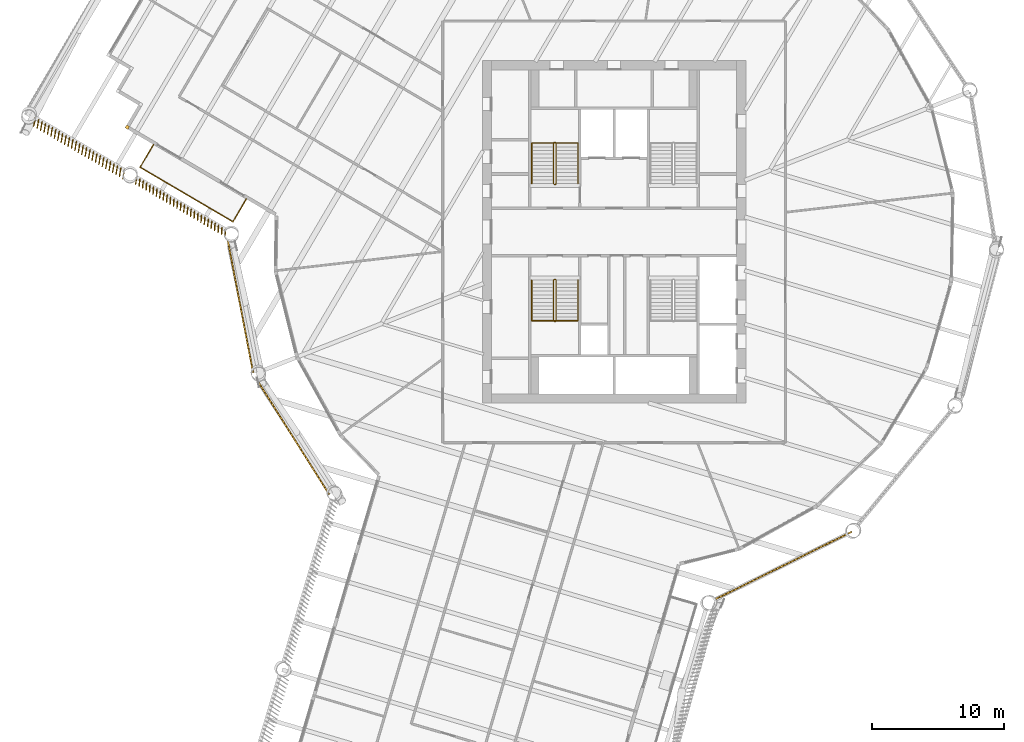
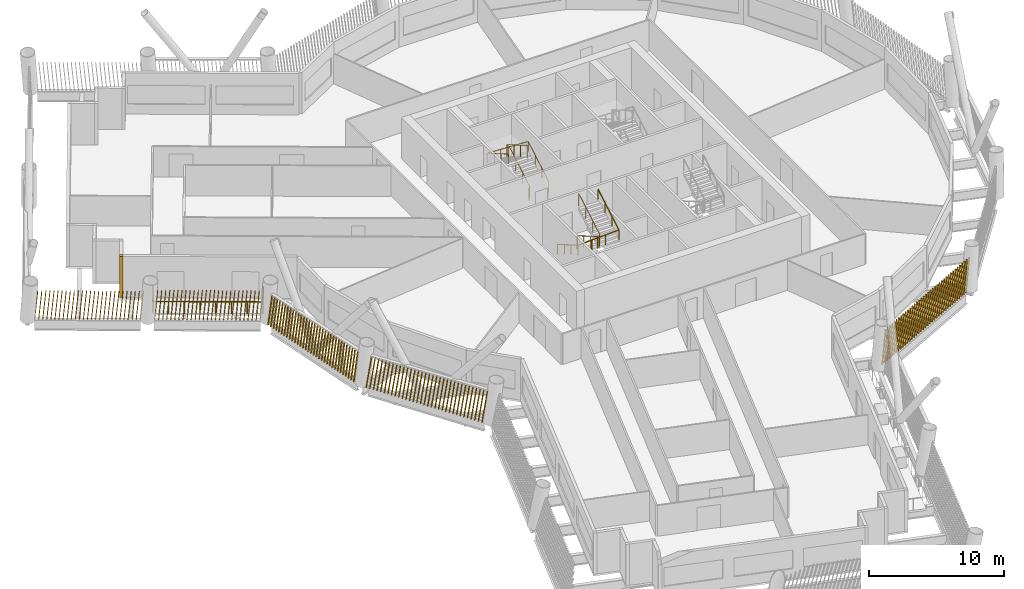
# One storey, part 20 of 23: 6 shading devices, 5 railings.
"""IFC4 building model written with IfcOpenShell, lengths in metres."""

from ifc_helpers import new_model, si_unit, direction, frame, frame_2d, origin, origin_2d, place, context, subcontext, project, spatial, rectangle, circle, composite_profile, extrude, material, type_object, element, save


model = new_model("IFC4")

# Units and contexts
model_context = context("Model", 3, precision=1e-05, world=origin(), true_north=direction((0.0, 1.0)))
body_context = subcontext(model_context, "Body", "Model", "MODEL_VIEW")
ifc_project = project(units=[si_unit("LENGTHUNIT", "METRE"), si_unit("AREAUNIT", "SQUARE_METRE"), si_unit("VOLUMEUNIT", "CUBIC_METRE"), si_unit("PLANEANGLEUNIT", "RADIAN"), si_unit("MASSUNIT", "GRAM", prefix="KILO")], contexts=[model_context])

# Site, building, storey
site_placement = place(None, origin())
site = spatial("IfcSite", under=ifc_project, at=site_placement, CompositionType="ELEMENT")
building_placement = place(site_placement, origin())
building = spatial("IfcBuilding", under=site, at=building_placement, Name="Tarsis Ring Headquarters", CompositionType="ELEMENT")
storey_placement = place(building_placement, frame((0.0, 0.0, 155.39990234375)))
storey = spatial("IfcBuildingStorey", under=building, at=storey_placement, Name="L35", CompositionType="ELEMENT", Elevation=155.39990234375)

# Railings
ifc_material_1 = material(Name="Stainless steel guard", Category="steel")
railing_type_1 = type_object("IfcRailingType", Name="Balcony balustrade with mesh infill 1100", PredefinedType="BALUSTRADE", material=ifc_material_1)
railing_1_placement = place(storey_placement, frame((-34.959716796875, 6.638671875, 0.0)))
element("IfcRailing", 1, at=railing_1_placement, inside=storey, type_object=railing_type_1, Name="Balcony balustrade L35-01", PredefinedType="BALUSTRADE", context=body_context, shape_type="SweptSolid", body=[
    extrude(circle(Radius=0.030029296875, at=origin_2d()), frame((0.0, 0.0, 1.070068359375), z_axis=(-0.506918771749, -0.861993827616, 0.0), x_axis=(0.861993827616, -0.506918771749, 0.0)), (0.0, 0.0, 1.0), 2.000244140625),
    extrude(circle(Radius=0.030029296875, at=origin_2d()), frame((-1.013916015625, -1.72412109375, 1.070068359375), z_axis=(0.861991041868, -0.506923508766, 0.0), x_axis=(0.506923508766, 0.861991041868, 0.0)), (0.0, 0.0, 1.0), 8.172119140625),
    extrude(circle(Radius=0.030029296875, at=origin_2d()), frame((6.0302734375, -5.86669921875, 1.070068359375), z_axis=(0.50697211221, 0.861962457095, 0.0), x_axis=(-0.861962457095, 0.50697211221, 0.0)), (0.0, 0.0, 1.0), 2.0),
    extrude(circle(Radius=0.02490234375, at=origin_2d()), origin(), (0.0, 0.0, 1.0), 1.0400390625),
    extrude(circle(Radius=0.02490234375, at=origin_2d()), frame((-0.5068359375, -0.862060546875, 0.0)), (0.0, 0.0, 1.0), 1.0400390625),
    extrude(circle(Radius=0.02490234375, at=origin_2d()), frame((-1.013916015625, -1.72412109375, 0.0)), (0.0, 0.0, 1.0), 1.0400390625),
    extrude(circle(Radius=0.02490234375, at=origin_2d()), frame((-0.007568359375, -2.31591796875, 0.0)), (0.0, 0.0, 1.0), 1.0400390625),
    extrude(circle(Radius=0.02490234375, at=origin_2d()), frame((0.998779296875, -2.90771484375, 0.0)), (0.0, 0.0, 1.0), 1.0400390625),
    extrude(circle(Radius=0.02490234375, at=origin_2d()), frame((2.005126953125, -3.49951171875, 0.0)), (0.0, 0.0, 1.0), 1.0400390625),
    extrude(circle(Radius=0.02490234375, at=origin_2d()), frame((3.01123046875, -4.09130859375, 0.0)), (0.0, 0.0, 1.0), 1.0400390625),
    extrude(circle(Radius=0.02490234375, at=origin_2d()), frame((4.017578125, -4.68310546875, 0.0)), (0.0, 0.0, 1.0), 1.0400390625),
    extrude(circle(Radius=0.02490234375, at=origin_2d()), frame((5.02392578125, -5.27490234375, 0.0)), (0.0, 0.0, 1.0), 1.0400390625),
    extrude(circle(Radius=0.02490234375, at=origin_2d()), frame((6.0302734375, -5.86669921875, 0.0)), (0.0, 0.0, 1.0), 1.0400390625),
    extrude(circle(Radius=0.02490234375, at=origin_2d()), frame((6.537109375, -5.0048828125, 0.0)), (0.0, 0.0, 1.0), 1.0400390625),
    extrude(circle(Radius=0.02490234375, at=origin_2d()), frame((7.044189453125, -4.142822265625, 0.0)), (0.0, 0.0, 1.0), 1.0400390625),
])
ifc_material_2 = material(Name="Steel S355", Category="steel")
railing_type_2 = type_object("IfcRailingType", Name="Core stair guard 1100", PredefinedType="GUARDRAIL", material=ifc_material_2)
railing_2_placement = place(storey_placement, frame((-4.5400390625, 3.610107421875, 0.0)))
element("IfcRailing", 2, at=railing_2_placement, inside=storey, type_object=railing_type_2, Name="L35 ST1 stair guard 1", PredefinedType="GUARDRAIL", context=body_context, shape_type="SweptSolid", body=[
    extrude(circle(Radius=0.02392578125, at=origin_2d()), frame((0.0, 0.0, 1.076171875), z_axis=(1.0, 0.0, 0.0), x_axis=(0.0, 1.0, 0.0)), (0.0, 0.0, 1.0), 0.080078125),
    extrude(circle(Radius=0.02392578125, at=origin_2d()), frame((0.080078125, 0.0, 1.076171875), z_axis=(0.282336740067, 0.280959487676, 0.917250092119), x_axis=(-0.705375805398, 0.708833529934, 0.0)), (0.0, 0.0, 1.0), 0.17724609375),
    extrude(circle(Radius=0.02392578125, at=origin_2d()), frame((0.130126953125, 0.0498046875, 1.23876953125), z_axis=(0.0, 0.864890721111, 0.501960198159), x_axis=(-1.0, 0.0, 0.0)), (0.0, 0.0, 1.0), 3.561279296875),
    extrude(circle(Radius=0.02392578125, at=origin_2d()), frame((0.130126953125, 3.1298828125, 3.0263671875), z_axis=(-0.707106781187, 0.707106781187, 0.0), x_axis=(-0.707106781187, -0.707106781187, 0.0)), (0.0, 0.0, 1.0), 0.07080078125),
    extrude(circle(Radius=0.02392578125, at=origin_2d()), frame((0.080078125, 3.179931640625, 3.0263671875), z_axis=(-1.0, 0.0, 0.0), x_axis=(0.0, -1.0, 0.0)), (0.0, 0.0, 1.0), 0.080078125),
    extrude(circle(Radius=0.02392578125, at=origin_2d()), frame((0.0, 3.179931640625, 3.0263671875), z_axis=(-0.282583949758, -0.282583949758, 0.916674763849), x_axis=(0.707106781187, -0.707106781187, 0.0)), (0.0, 0.0, 1.0), 0.177001953125),
    extrude(circle(Radius=0.02392578125, at=origin_2d()), frame((-0.050048828125, 3.1298828125, 3.1884765625), z_axis=(0.0, -0.864890721111, 0.501960198159), x_axis=(1.0, 0.0, 0.0)), (0.0, 0.0, 1.0), 3.561279296875),
    extrude(circle(Radius=0.02099609375, at=origin_2d()), origin(), (0.0, 0.0, 1.0), 1.052001953125),
    extrude(circle(Radius=0.02099609375, at=origin_2d()), frame((0.080078125, 0.0, 0.0)), (0.0, 0.0, 1.0), 1.052001953125),
    extrude(circle(Radius=0.02099609375, at=origin_2d()), frame((0.130126953125, 0.0498046875, 0.16259765625)), (0.0, 0.0, 1.0), 1.052001953125),
    extrude(circle(Radius=0.02099609375, at=origin_2d()), frame((0.130126953125, 1.076416015625, 0.758544921875)), (0.0, 0.0, 1.0), 1.052001953125),
    extrude(circle(Radius=0.02099609375, at=origin_2d()), frame((0.130126953125, 2.103271484375, 1.354248046875)), (0.0, 0.0, 1.0), 1.052001953125),
    extrude(circle(Radius=0.02099609375, at=origin_2d()), frame((0.130126953125, 3.1298828125, 1.9501953125)), (0.0, 0.0, 1.0), 1.052001953125),
    extrude(circle(Radius=0.02099609375, at=origin_2d()), frame((0.080078125, 3.179931640625, 1.9501953125)), (0.0, 0.0, 1.0), 1.052001953125),
    extrude(circle(Radius=0.02099609375, at=origin_2d()), frame((0.0, 3.179931640625, 1.9501953125)), (0.0, 0.0, 1.0), 1.052001953125),
    extrude(circle(Radius=0.02099609375, at=origin_2d()), frame((-0.050048828125, 3.1298828125, 2.112548828125)), (0.0, 0.0, 1.0), 1.052001953125),
    extrude(circle(Radius=0.02099609375, at=origin_2d()), frame((-0.050048828125, 2.103271484375, 2.70849609375)), (0.0, 0.0, 1.0), 1.052001953125),
    extrude(circle(Radius=0.02099609375, at=origin_2d()), frame((-0.050048828125, 1.076416015625, 3.30419921875)), (0.0, 0.0, 1.0), 1.052001953125),
    extrude(circle(Radius=0.02099609375, at=origin_2d()), frame((-0.050048828125, 0.0498046875, 3.900146484375)), (0.0, 0.0, 1.0), 1.052001953125),
])
railing_3_placement = place(storey_placement, frame((-4.4599609375, -3.610107421875, 0.0)))
element("IfcRailing", 3, at=railing_3_placement, inside=storey, type_object=railing_type_2, Name="L35 ST3 stair guard 1", PredefinedType="GUARDRAIL", context=body_context, shape_type="SweptSolid", body=[
    extrude(circle(Radius=0.02392578125, at=origin_2d()), frame((0.0, 0.0, 1.076171875), z_axis=(-1.0, 0.0, 0.0), x_axis=(0.0, -1.0, 0.0)), (0.0, 0.0, 1.0), 0.080078125),
    extrude(circle(Radius=0.02392578125, at=origin_2d()), frame((-0.080078125, 0.0, 1.076171875), z_axis=(-0.282336740067, -0.280959487676, 0.917250092119), x_axis=(0.705375805398, -0.708833529934, 0.0)), (0.0, 0.0, 1.0), 0.17724609375),
    extrude(circle(Radius=0.02392578125, at=origin_2d()), frame((-0.130126953125, -0.0498046875, 1.23876953125), z_axis=(0.0, -0.864890721111, 0.501960198159), x_axis=(1.0, 0.0, 0.0)), (0.0, 0.0, 1.0), 3.561279296875),
    extrude(circle(Radius=0.02392578125, at=origin_2d()), frame((-0.130126953125, -3.1298828125, 3.0263671875), z_axis=(0.707106781187, -0.707106781187, 0.0), x_axis=(0.707106781187, 0.707106781187, 0.0)), (0.0, 0.0, 1.0), 0.07080078125),
    extrude(circle(Radius=0.02392578125, at=origin_2d()), frame((-0.080078125, -3.179931640625, 3.0263671875), z_axis=(1.0, 0.0, 0.0), x_axis=(0.0, 1.0, 0.0)), (0.0, 0.0, 1.0), 0.080078125),
    extrude(circle(Radius=0.02392578125, at=origin_2d()), frame((0.0, -3.179931640625, 3.0263671875), z_axis=(0.282583949758, 0.282583949758, 0.916674763849), x_axis=(-0.707106781187, 0.707106781187, 0.0)), (0.0, 0.0, 1.0), 0.177001953125),
    extrude(circle(Radius=0.02392578125, at=origin_2d()), frame((0.050048828125, -3.1298828125, 3.1884765625), z_axis=(0.0, 0.864890721111, 0.501960198159), x_axis=(-1.0, 0.0, 0.0)), (0.0, 0.0, 1.0), 3.561279296875),
    extrude(circle(Radius=0.02099609375, at=origin_2d()), origin(), (0.0, 0.0, 1.0), 1.052001953125),
    extrude(circle(Radius=0.02099609375, at=origin_2d()), frame((-0.080078125, 0.0, 0.0)), (0.0, 0.0, 1.0), 1.052001953125),
    extrude(circle(Radius=0.02099609375, at=origin_2d()), frame((-0.130126953125, -0.0498046875, 0.16259765625)), (0.0, 0.0, 1.0), 1.052001953125),
    extrude(circle(Radius=0.02099609375, at=origin_2d()), frame((-0.130126953125, -1.076416015625, 0.758544921875)), (0.0, 0.0, 1.0), 1.052001953125),
    extrude(circle(Radius=0.02099609375, at=origin_2d()), frame((-0.130126953125, -2.103271484375, 1.354248046875)), (0.0, 0.0, 1.0), 1.052001953125),
    extrude(circle(Radius=0.02099609375, at=origin_2d()), frame((-0.130126953125, -3.1298828125, 1.9501953125)), (0.0, 0.0, 1.0), 1.052001953125),
    extrude(circle(Radius=0.02099609375, at=origin_2d()), frame((-0.080078125, -3.179931640625, 1.9501953125)), (0.0, 0.0, 1.0), 1.052001953125),
    extrude(circle(Radius=0.02099609375, at=origin_2d()), frame((0.0, -3.179931640625, 1.9501953125)), (0.0, 0.0, 1.0), 1.052001953125),
    extrude(circle(Radius=0.02099609375, at=origin_2d()), frame((0.050048828125, -3.1298828125, 2.112548828125)), (0.0, 0.0, 1.0), 1.052001953125),
    extrude(circle(Radius=0.02099609375, at=origin_2d()), frame((0.050048828125, -2.103271484375, 2.70849609375)), (0.0, 0.0, 1.0), 1.052001953125),
    extrude(circle(Radius=0.02099609375, at=origin_2d()), frame((0.050048828125, -1.076416015625, 3.30419921875)), (0.0, 0.0, 1.0), 1.052001953125),
    extrude(circle(Radius=0.02099609375, at=origin_2d()), frame((0.050048828125, -0.0498046875, 3.900146484375)), (0.0, 0.0, 1.0), 1.052001953125),
])
railing_type_3 = type_object("IfcRailingType", Name="Core stair handrail 900", PredefinedType="HANDRAIL", material=ifc_material_2)
railing_4_placement = place(storey_placement, frame((-2.75, 3.659912109375, 0.16259765625)))
element("IfcRailing", 4, at=railing_4_placement, inside=storey, type_object=railing_type_3, Name="L35 ST1 stair handrail 1", PredefinedType="HANDRAIL", context=body_context, shape_type="SweptSolid", body=[
    extrude(circle(Radius=0.02392578125, at=origin_2d()), frame((0.0, 0.0, 0.8759765625), z_axis=(0.0, 0.864890721111, 0.501960198159), x_axis=(-1.0, 0.0, 0.0)), (0.0, 0.0, 1.0), 3.561279296875),
    extrude(circle(Radius=0.02392578125, at=origin_2d()), frame((0.0, 3.080078125, 2.66357421875), z_axis=(-0.998925869279, 0.0, 0.04633689335), x_axis=(0.0, -1.0, 0.0)), (0.0, 0.0, 1.0), 3.503662109375),
    extrude(circle(Radius=0.02392578125, at=origin_2d()), frame((-3.5, 3.080078125, 2.82568359375), z_axis=(0.0, -0.864890721111, 0.501960198159), x_axis=(1.0, 0.0, 0.0)), (0.0, 0.0, 1.0), 3.561279296875),
    extrude(circle(Radius=0.02099609375, at=origin_2d()), origin(), (0.0, 0.0, 1.0), 0.851806640625),
    extrude(circle(Radius=0.02099609375, at=origin_2d()), frame((0.0, 1.026611328125, 0.595947265625)), (0.0, 0.0, 1.0), 0.851806640625),
    extrude(circle(Radius=0.02099609375, at=origin_2d()), frame((0.0, 2.053466796875, 1.191650390625)), (0.0, 0.0, 1.0), 0.851806640625),
    extrude(circle(Radius=0.02099609375, at=origin_2d()), frame((0.0, 3.080078125, 1.78759765625)), (0.0, 0.0, 1.0), 0.851806640625),
    extrude(circle(Radius=0.02099609375, at=origin_2d()), frame((-1.166748046875, 3.080078125, 1.841796875)), (0.0, 0.0, 1.0), 0.851806640625),
    extrude(circle(Radius=0.02099609375, at=origin_2d()), frame((-2.333251953125, 3.080078125, 1.895751953125)), (0.0, 0.0, 1.0), 0.851806640625),
    extrude(circle(Radius=0.02099609375, at=origin_2d()), frame((-3.5, 3.080078125, 1.949951171875)), (0.0, 0.0, 1.0), 0.851806640625),
    extrude(circle(Radius=0.02099609375, at=origin_2d()), frame((-3.5, 2.053466796875, 2.5458984375)), (0.0, 0.0, 1.0), 0.851806640625),
    extrude(circle(Radius=0.02099609375, at=origin_2d()), frame((-3.5, 1.026611328125, 3.1416015625)), (0.0, 0.0, 1.0), 0.851806640625),
    extrude(circle(Radius=0.02099609375, at=origin_2d()), frame((-3.5, 0.0, 3.737548828125)), (0.0, 0.0, 1.0), 0.851806640625),
])
railing_5_placement = place(storey_placement, frame((-6.25, -3.659912109375, 0.16259765625)))
element("IfcRailing", 5, at=railing_5_placement, inside=storey, type_object=railing_type_3, Name="L35 ST3 stair handrail 1", PredefinedType="HANDRAIL", context=body_context, shape_type="SweptSolid", body=[
    extrude(circle(Radius=0.02392578125, at=origin_2d()), frame((0.0, 0.0, 0.8759765625), z_axis=(0.0, -0.864890721111, 0.501960198159), x_axis=(1.0, 0.0, 0.0)), (0.0, 0.0, 1.0), 3.561279296875),
    extrude(circle(Radius=0.02392578125, at=origin_2d()), frame((0.0, -3.080078125, 2.66357421875), z_axis=(0.998925869279, 0.0, 0.04633689335), x_axis=(0.0, 1.0, 0.0)), (0.0, 0.0, 1.0), 3.503662109375),
    extrude(circle(Radius=0.02392578125, at=origin_2d()), frame((3.5, -3.080078125, 2.82568359375), z_axis=(0.0, 0.864890721111, 0.501960198159), x_axis=(-1.0, 0.0, 0.0)), (0.0, 0.0, 1.0), 3.561279296875),
    extrude(circle(Radius=0.02099609375, at=origin_2d()), origin(), (0.0, 0.0, 1.0), 0.851806640625),
    extrude(circle(Radius=0.02099609375, at=origin_2d()), frame((0.0, -1.026611328125, 0.595947265625)), (0.0, 0.0, 1.0), 0.851806640625),
    extrude(circle(Radius=0.02099609375, at=origin_2d()), frame((0.0, -2.053466796875, 1.191650390625)), (0.0, 0.0, 1.0), 0.851806640625),
    extrude(circle(Radius=0.02099609375, at=origin_2d()), frame((0.0, -3.080078125, 1.78759765625)), (0.0, 0.0, 1.0), 0.851806640625),
    extrude(circle(Radius=0.02099609375, at=origin_2d()), frame((1.166748046875, -3.080078125, 1.841796875)), (0.0, 0.0, 1.0), 0.851806640625),
    extrude(circle(Radius=0.02099609375, at=origin_2d()), frame((2.333251953125, -3.080078125, 1.895751953125)), (0.0, 0.0, 1.0), 0.851806640625),
    extrude(circle(Radius=0.02099609375, at=origin_2d()), frame((3.5, -3.080078125, 1.949951171875)), (0.0, 0.0, 1.0), 0.851806640625),
    extrude(circle(Radius=0.02099609375, at=origin_2d()), frame((3.5, -2.053466796875, 2.5458984375)), (0.0, 0.0, 1.0), 0.851806640625),
    extrude(circle(Radius=0.02099609375, at=origin_2d()), frame((3.5, -1.026611328125, 3.1416015625)), (0.0, 0.0, 1.0), 0.851806640625),
    extrude(circle(Radius=0.02099609375, at=origin_2d()), frame((3.5, 0.0, 3.737548828125)), (0.0, 0.0, 1.0), 0.851806640625),
])

# Shading devices
ifc_material_3 = material(Name="Terracotta baguette", Category="masonry")
shading_device_type_1 = type_object("IfcShadingDeviceType", Name="Terracotta baguette screen", PredefinedType="USERDEFINED", material=ifc_material_3)
shading_device_1_placement = place(storey_placement, frame((-27.0703125, -11.2880859375, 0.0), z_axis=(0.0, 0.0, 1.0), x_axis=(0.533241723923, -0.845971267958, 0.0)))
element("IfcShadingDevice", 6, at=shading_device_1_placement, inside=storey, type_object=shading_device_type_1, Name="Baguette screen L35-00", ObjectType="Terracotta baguette screen", PredefinedType="USERDEFINED", context=body_context, shape_type="SweptSolid", body=[
    extrude(composite_profile([rectangle(XDim=0.06005859375, YDim=0.1201171875, at=frame_2d((0.030029296875, 0.0))), rectangle(XDim=0.06005859375, YDim=0.1201171875, at=frame_2d((0.33349609375, 0.0))), rectangle(XDim=0.06005859375, YDim=0.1201171875, at=frame_2d((0.636962890625, 0.0))), rectangle(XDim=0.06005859375, YDim=0.1201171875, at=frame_2d((0.9404296875, 0.0))), rectangle(XDim=0.06005859375, YDim=0.1201171875, at=frame_2d((1.243896484375, 0.0))), rectangle(XDim=0.06005859375, YDim=0.1201171875, at=frame_2d((1.54736328125, 0.0))), rectangle(XDim=0.06005859375, YDim=0.1201171875, at=frame_2d((1.85107421875, 0.0))), rectangle(XDim=0.06005859375, YDim=0.1201171875, at=frame_2d((2.154541015625, 0.0))), rectangle(XDim=0.06005859375, YDim=0.1201171875, at=frame_2d((2.4580078125, 0.0))), rectangle(XDim=0.06005859375, YDim=0.1201171875, at=frame_2d((2.761474609375, 0.0))), rectangle(XDim=0.06005859375, YDim=0.1201171875, at=frame_2d((3.06494140625, 0.0))), rectangle(XDim=0.06005859375, YDim=0.1201171875, at=frame_2d((3.368408203125, 0.0))), rectangle(XDim=0.06005859375, YDim=0.1201171875, at=frame_2d((3.671875, 0.0))), rectangle(XDim=0.06005859375, YDim=0.1201171875, at=frame_2d((3.975341796875, 0.0))), rectangle(XDim=0.06005859375, YDim=0.1201171875, at=frame_2d((4.27880859375, 0.0))), rectangle(XDim=0.06005859375, YDim=0.1201171875, at=frame_2d((4.582275390625, 0.0))), rectangle(XDim=0.06005859375, YDim=0.1201171875, at=frame_2d((4.8857421875, 0.0))), rectangle(XDim=0.06005859375, YDim=0.1201171875, at=frame_2d((5.189453125, 0.0))), rectangle(XDim=0.06005859375, YDim=0.1201171875, at=frame_2d((5.492919921875, 0.0))), rectangle(XDim=0.06005859375, YDim=0.1201171875, at=frame_2d((5.79638671875, 0.0))), rectangle(XDim=0.06005859375, YDim=0.1201171875, at=frame_2d((6.099853515625, 0.0))), rectangle(XDim=0.06005859375, YDim=0.1201171875, at=frame_2d((6.4033203125, 0.0))), rectangle(XDim=0.06005859375, YDim=0.1201171875, at=frame_2d((6.706787109375, 0.0))), rectangle(XDim=0.06005859375, YDim=0.1201171875, at=frame_2d((7.01025390625, 0.0))), rectangle(XDim=0.06005859375, YDim=0.1201171875, at=frame_2d((7.313720703125, 0.0))), rectangle(XDim=0.06005859375, YDim=0.1201171875, at=frame_2d((7.6171875, 0.0))), rectangle(XDim=0.06005859375, YDim=0.1201171875, at=frame_2d((7.920654296875, 0.0))), rectangle(XDim=0.06005859375, YDim=0.1201171875, at=frame_2d((8.224365234375, 0.0))), rectangle(XDim=0.06005859375, YDim=0.1201171875, at=frame_2d((8.52783203125, 0.0))), rectangle(XDim=0.06005859375, YDim=0.1201171875, at=frame_2d((8.831298828125, 0.0))), rectangle(XDim=0.06005859375, YDim=0.1201171875, at=frame_2d((9.134765625, 0.0))), rectangle(XDim=0.06005859375, YDim=0.1201171875, at=frame_2d((9.438232421875, 0.0))), rectangle(XDim=0.06005859375, YDim=0.1201171875, at=frame_2d((9.74169921875, 0.0)))]), origin(), (0.152181609716, 0.001196667964, 0.988351822809), 2.98486328125),
])
shading_device_2_placement = place(storey_placement, frame((7.55908203125, -27.94287109375, 0.0), z_axis=(0.0, 0.0, 1.0), x_axis=(0.896169289202, 0.44373304395, 0.0)))
element("IfcShadingDevice", 7, at=shading_device_2_placement, inside=storey, type_object=shading_device_type_1, Name="Baguette screen L35-07", ObjectType="Terracotta baguette screen", PredefinedType="USERDEFINED", context=body_context, shape_type="SweptSolid", body=[
    extrude(composite_profile([rectangle(XDim=0.06005859375, YDim=0.1201171875, at=frame_2d((0.030029296875, 0.0))), rectangle(XDim=0.06005859375, YDim=0.1201171875, at=frame_2d((0.33251953125, 0.0))), rectangle(XDim=0.06005859375, YDim=0.1201171875, at=frame_2d((0.634765625, 0.0))), rectangle(XDim=0.06005859375, YDim=0.1201171875, at=frame_2d((0.937255859375, 0.0))), rectangle(XDim=0.06005859375, YDim=0.1201171875, at=frame_2d((1.239501953125, 0.0))), rectangle(XDim=0.06005859375, YDim=0.1201171875, at=frame_2d((1.5419921875, 0.0))), rectangle(XDim=0.06005859375, YDim=0.1201171875, at=frame_2d((1.844482421875, 0.0))), rectangle(XDim=0.06005859375, YDim=0.1201171875, at=frame_2d((2.146728515625, 0.0))), rectangle(XDim=0.06005859375, YDim=0.1201171875, at=frame_2d((2.44921875, 0.0))), rectangle(XDim=0.06005859375, YDim=0.1201171875, at=frame_2d((2.751708984375, 0.0))), rectangle(XDim=0.06005859375, YDim=0.1201171875, at=frame_2d((3.053955078125, 0.0))), rectangle(XDim=0.06005859375, YDim=0.1201171875, at=frame_2d((3.3564453125, 0.0))), rectangle(XDim=0.06005859375, YDim=0.1201171875, at=frame_2d((3.65869140625, 0.0))), rectangle(XDim=0.06005859375, YDim=0.1201171875, at=frame_2d((3.961181640625, 0.0))), rectangle(XDim=0.06005859375, YDim=0.1201171875, at=frame_2d((4.263671875, 0.0))), rectangle(XDim=0.06005859375, YDim=0.1201171875, at=frame_2d((4.56591796875, 0.0))), rectangle(XDim=0.06005859375, YDim=0.1201171875, at=frame_2d((4.868408203125, 0.0))), rectangle(XDim=0.06005859375, YDim=0.1201171875, at=frame_2d((5.1708984375, 0.0))), rectangle(XDim=0.06005859375, YDim=0.1201171875, at=frame_2d((5.47314453125, 0.0))), rectangle(XDim=0.06005859375, YDim=0.1201171875, at=frame_2d((5.775634765625, 0.0))), rectangle(XDim=0.06005859375, YDim=0.1201171875, at=frame_2d((6.077880859375, 0.0))), rectangle(XDim=0.06005859375, YDim=0.1201171875, at=frame_2d((6.38037109375, 0.0))), rectangle(XDim=0.06005859375, YDim=0.1201171875, at=frame_2d((6.682861328125, 0.0))), rectangle(XDim=0.06005859375, YDim=0.1201171875, at=frame_2d((6.985107421875, 0.0))), rectangle(XDim=0.06005859375, YDim=0.1201171875, at=frame_2d((7.28759765625, 0.0))), rectangle(XDim=0.06005859375, YDim=0.1201171875, at=frame_2d((7.590087890625, 0.0))), rectangle(XDim=0.06005859375, YDim=0.1201171875, at=frame_2d((7.892333984375, 0.0))), rectangle(XDim=0.06005859375, YDim=0.1201171875, at=frame_2d((8.19482421875, 0.0))), rectangle(XDim=0.06005859375, YDim=0.1201171875, at=frame_2d((8.4970703125, 0.0))), rectangle(XDim=0.06005859375, YDim=0.1201171875, at=frame_2d((8.799560546875, 0.0))), rectangle(XDim=0.06005859375, YDim=0.1201171875, at=frame_2d((9.10205078125, 0.0))), rectangle(XDim=0.06005859375, YDim=0.1201171875, at=frame_2d((9.404296875, 0.0))), rectangle(XDim=0.06005859375, YDim=0.1201171875, at=frame_2d((9.706787109375, 0.0))), rectangle(XDim=0.06005859375, YDim=0.1201171875, at=frame_2d((10.00927734375, 0.0))), rectangle(XDim=0.06005859375, YDim=0.1201171875, at=frame_2d((10.3115234375, 0.0))), rectangle(XDim=0.06005859375, YDim=0.1201171875, at=frame_2d((10.614013671875, 0.0))), rectangle(XDim=0.06005859375, YDim=0.1201171875, at=frame_2d((10.916259765625, 0.0))), rectangle(XDim=0.06005859375, YDim=0.1201171875, at=frame_2d((11.21875, 0.0)))]), origin(), (0.149485047549, 0.001172078099, 0.988763291588), 2.983642578125),
])
shading_device_3_placement = place(storey_placement, frame((-43.964599609375, 8.68603515625, 0.0), z_axis=(0.0, 0.0, 1.0), x_axis=(0.861989062934, -0.506936076868, 0.0)))
element("IfcShadingDevice", 8, at=shading_device_3_placement, inside=storey, type_object=shading_device_type_1, Name="Baguette screen L35-19", ObjectType="Terracotta baguette screen", PredefinedType="USERDEFINED", context=body_context, shape_type="SweptSolid", body=[
    extrude(composite_profile([rectangle(XDim=0.06005859375, YDim=0.1201171875, at=frame_2d((0.030029296875, 0.0))), rectangle(XDim=0.06005859375, YDim=0.1201171875, at=frame_2d((0.33154296875, 0.0))), rectangle(XDim=0.06005859375, YDim=0.1201171875, at=frame_2d((0.63330078125, 0.0))), rectangle(XDim=0.06005859375, YDim=0.1201171875, at=frame_2d((0.934814453125, 0.0))), rectangle(XDim=0.06005859375, YDim=0.1201171875, at=frame_2d((1.236572265625, 0.0))), rectangle(XDim=0.06005859375, YDim=0.1201171875, at=frame_2d((1.5380859375, 0.0))), rectangle(XDim=0.06005859375, YDim=0.1201171875, at=frame_2d((1.83984375, 0.0))), rectangle(XDim=0.06005859375, YDim=0.1201171875, at=frame_2d((2.141357421875, 0.0))), rectangle(XDim=0.06005859375, YDim=0.1201171875, at=frame_2d((2.443115234375, 0.0))), rectangle(XDim=0.06005859375, YDim=0.1201171875, at=frame_2d((2.74462890625, 0.0))), rectangle(XDim=0.06005859375, YDim=0.1201171875, at=frame_2d((3.04638671875, 0.0))), rectangle(XDim=0.06005859375, YDim=0.1201171875, at=frame_2d((3.347900390625, 0.0))), rectangle(XDim=0.06005859375, YDim=0.1201171875, at=frame_2d((3.649658203125, 0.0))), rectangle(XDim=0.06005859375, YDim=0.1201171875, at=frame_2d((3.951171875, 0.0))), rectangle(XDim=0.06005859375, YDim=0.1201171875, at=frame_2d((4.252685546875, 0.0))), rectangle(XDim=0.06005859375, YDim=0.1201171875, at=frame_2d((4.554443359375, 0.0))), rectangle(XDim=0.06005859375, YDim=0.1201171875, at=frame_2d((4.85595703125, 0.0))), rectangle(XDim=0.06005859375, YDim=0.1201171875, at=frame_2d((5.15771484375, 0.0))), rectangle(XDim=0.06005859375, YDim=0.1201171875, at=frame_2d((5.459228515625, 0.0))), rectangle(XDim=0.06005859375, YDim=0.1201171875, at=frame_2d((5.760986328125, 0.0))), rectangle(XDim=0.06005859375, YDim=0.1201171875, at=frame_2d((6.0625, 0.0))), rectangle(XDim=0.06005859375, YDim=0.1201171875, at=frame_2d((6.3642578125, 0.0))), rectangle(XDim=0.06005859375, YDim=0.1201171875, at=frame_2d((6.665771484375, 0.0))), rectangle(XDim=0.06005859375, YDim=0.1201171875, at=frame_2d((6.967529296875, 0.0))), rectangle(XDim=0.06005859375, YDim=0.1201171875, at=frame_2d((7.26904296875, 0.0))), rectangle(XDim=0.06005859375, YDim=0.1201171875, at=frame_2d((7.57080078125, 0.0))), rectangle(XDim=0.06005859375, YDim=0.1201171875, at=frame_2d((7.872314453125, 0.0)))]), origin(), (0.078541681101, -0.198850991846, 0.976877416758), 3.02001953125),
])
shading_device_4_placement = place(storey_placement, frame((-36.291015625, 4.173095703125, 0.0), z_axis=(0.0, 0.0, 1.0), x_axis=(0.861989062934, -0.506936076868, 0.0)))
element("IfcShadingDevice", 9, at=shading_device_4_placement, inside=storey, type_object=shading_device_type_1, Name="Baguette screen L35-20", ObjectType="Terracotta baguette screen", PredefinedType="USERDEFINED", context=body_context, shape_type="SweptSolid", body=[
    extrude(composite_profile([rectangle(XDim=0.06005859375, YDim=0.1201171875, at=frame_2d((0.030029296875, 0.0))), rectangle(XDim=0.06005859375, YDim=0.1201171875, at=frame_2d((0.33154296875, 0.0))), rectangle(XDim=0.06005859375, YDim=0.1201171875, at=frame_2d((0.63330078125, 0.0))), rectangle(XDim=0.06005859375, YDim=0.1201171875, at=frame_2d((0.934814453125, 0.0))), rectangle(XDim=0.06005859375, YDim=0.1201171875, at=frame_2d((1.236572265625, 0.0))), rectangle(XDim=0.06005859375, YDim=0.1201171875, at=frame_2d((1.5380859375, 0.0))), rectangle(XDim=0.06005859375, YDim=0.1201171875, at=frame_2d((1.83984375, 0.0))), rectangle(XDim=0.06005859375, YDim=0.1201171875, at=frame_2d((2.141357421875, 0.0))), rectangle(XDim=0.06005859375, YDim=0.1201171875, at=frame_2d((2.443115234375, 0.0))), rectangle(XDim=0.06005859375, YDim=0.1201171875, at=frame_2d((2.74462890625, 0.0))), rectangle(XDim=0.06005859375, YDim=0.1201171875, at=frame_2d((3.04638671875, 0.0))), rectangle(XDim=0.06005859375, YDim=0.1201171875, at=frame_2d((3.347900390625, 0.0))), rectangle(XDim=0.06005859375, YDim=0.1201171875, at=frame_2d((3.649658203125, 0.0))), rectangle(XDim=0.06005859375, YDim=0.1201171875, at=frame_2d((3.951171875, 0.0))), rectangle(XDim=0.06005859375, YDim=0.1201171875, at=frame_2d((4.252685546875, 0.0))), rectangle(XDim=0.06005859375, YDim=0.1201171875, at=frame_2d((4.554443359375, 0.0))), rectangle(XDim=0.06005859375, YDim=0.1201171875, at=frame_2d((4.85595703125, 0.0))), rectangle(XDim=0.06005859375, YDim=0.1201171875, at=frame_2d((5.15771484375, 0.0))), rectangle(XDim=0.06005859375, YDim=0.1201171875, at=frame_2d((5.459228515625, 0.0))), rectangle(XDim=0.06005859375, YDim=0.1201171875, at=frame_2d((5.760986328125, 0.0))), rectangle(XDim=0.06005859375, YDim=0.1201171875, at=frame_2d((6.0625, 0.0))), rectangle(XDim=0.06005859375, YDim=0.1201171875, at=frame_2d((6.3642578125, 0.0))), rectangle(XDim=0.06005859375, YDim=0.1201171875, at=frame_2d((6.665771484375, 0.0))), rectangle(XDim=0.06005859375, YDim=0.1201171875, at=frame_2d((6.967529296875, 0.0))), rectangle(XDim=0.06005859375, YDim=0.1201171875, at=frame_2d((7.26904296875, 0.0))), rectangle(XDim=0.06005859375, YDim=0.1201171875, at=frame_2d((7.57080078125, 0.0))), rectangle(XDim=0.06005859375, YDim=0.1201171875, at=frame_2d((7.872314453125, 0.0)))]), origin(), (0.078824219344, -0.153810679746, 0.984951276582), 2.995361328125),
])
shading_device_5_placement = place(storey_placement, frame((-29.322509765625, -0.64794921875, 0.0), z_axis=(0.0, 0.0, 1.0), x_axis=(0.188336997801, -0.98211073356, 0.0)))
element("IfcShadingDevice", 10, at=shading_device_5_placement, inside=storey, type_object=shading_device_type_1, Name="Baguette screen L35-21", ObjectType="Terracotta baguette screen", PredefinedType="USERDEFINED", context=body_context, shape_type="SweptSolid", body=[
    extrude(composite_profile([rectangle(XDim=0.06005859375, YDim=0.1201171875, at=frame_2d((0.030029296875, 0.0))), rectangle(XDim=0.06005859375, YDim=0.1201171875, at=frame_2d((0.33349609375, 0.0))), rectangle(XDim=0.06005859375, YDim=0.1201171875, at=frame_2d((0.636962890625, 0.0))), rectangle(XDim=0.06005859375, YDim=0.1201171875, at=frame_2d((0.9404296875, 0.0))), rectangle(XDim=0.06005859375, YDim=0.1201171875, at=frame_2d((1.243896484375, 0.0))), rectangle(XDim=0.06005859375, YDim=0.1201171875, at=frame_2d((1.54736328125, 0.0))), rectangle(XDim=0.06005859375, YDim=0.1201171875, at=frame_2d((1.850830078125, 0.0))), rectangle(XDim=0.06005859375, YDim=0.1201171875, at=frame_2d((2.154296875, 0.0))), rectangle(XDim=0.06005859375, YDim=0.1201171875, at=frame_2d((2.4580078125, 0.0))), rectangle(XDim=0.06005859375, YDim=0.1201171875, at=frame_2d((2.761474609375, 0.0))), rectangle(XDim=0.06005859375, YDim=0.1201171875, at=frame_2d((3.06494140625, 0.0))), rectangle(XDim=0.06005859375, YDim=0.1201171875, at=frame_2d((3.368408203125, 0.0))), rectangle(XDim=0.06005859375, YDim=0.1201171875, at=frame_2d((3.671875, 0.0))), rectangle(XDim=0.06005859375, YDim=0.1201171875, at=frame_2d((3.975341796875, 0.0))), rectangle(XDim=0.06005859375, YDim=0.1201171875, at=frame_2d((4.27880859375, 0.0))), rectangle(XDim=0.06005859375, YDim=0.1201171875, at=frame_2d((4.582275390625, 0.0))), rectangle(XDim=0.06005859375, YDim=0.1201171875, at=frame_2d((4.8857421875, 0.0))), rectangle(XDim=0.06005859375, YDim=0.1201171875, at=frame_2d((5.189208984375, 0.0))), rectangle(XDim=0.06005859375, YDim=0.1201171875, at=frame_2d((5.49267578125, 0.0))), rectangle(XDim=0.06005859375, YDim=0.1201171875, at=frame_2d((5.796142578125, 0.0))), rectangle(XDim=0.06005859375, YDim=0.1201171875, at=frame_2d((6.099609375, 0.0))), rectangle(XDim=0.06005859375, YDim=0.1201171875, at=frame_2d((6.403076171875, 0.0))), rectangle(XDim=0.06005859375, YDim=0.1201171875, at=frame_2d((6.70654296875, 0.0))), rectangle(XDim=0.06005859375, YDim=0.1201171875, at=frame_2d((7.010009765625, 0.0))), rectangle(XDim=0.06005859375, YDim=0.1201171875, at=frame_2d((7.3134765625, 0.0))), rectangle(XDim=0.06005859375, YDim=0.1201171875, at=frame_2d((7.6171875, 0.0))), rectangle(XDim=0.06005859375, YDim=0.1201171875, at=frame_2d((7.920654296875, 0.0))), rectangle(XDim=0.06005859375, YDim=0.1201171875, at=frame_2d((8.22412109375, 0.0))), rectangle(XDim=0.06005859375, YDim=0.1201171875, at=frame_2d((8.527587890625, 0.0))), rectangle(XDim=0.06005859375, YDim=0.1201171875, at=frame_2d((8.8310546875, 0.0))), rectangle(XDim=0.06005859375, YDim=0.1201171875, at=frame_2d((9.134521484375, 0.0))), rectangle(XDim=0.06005859375, YDim=0.1201171875, at=frame_2d((9.43798828125, 0.0))), rectangle(XDim=0.06005859375, YDim=0.1201171875, at=frame_2d((9.741455078125, 0.0)))]), origin(), (0.15218129482, 0.001193535866, 0.988351875083), 2.98486328125),
])
shading_device_type_2 = type_object("IfcShadingDeviceType", Name="Terracotta corner baguette 250x250", PredefinedType="USERDEFINED", material=ifc_material_3)
shading_device_6_placement = place(storey_placement, frame((-36.943603515625, 7.9501953125, 0.0), z_axis=(0.0, 0.0, 1.0), x_axis=(-0.506936678605, -0.861983296755, 0.0)))
element("IfcShadingDevice", 11, at=shading_device_6_placement, inside=storey, type_object=shading_device_type_2, Name="Corner baguette L35-01", ObjectType="Terracotta corner baguette", PredefinedType="USERDEFINED", context=body_context, shape_type="SweptSolid", body=[
    extrude(rectangle(XDim=0.25, YDim=0.25, at=origin_2d()), origin(), (0.0, 0.0, 1.0), 3.739990234375),
])

save(model, "model.ifc")
